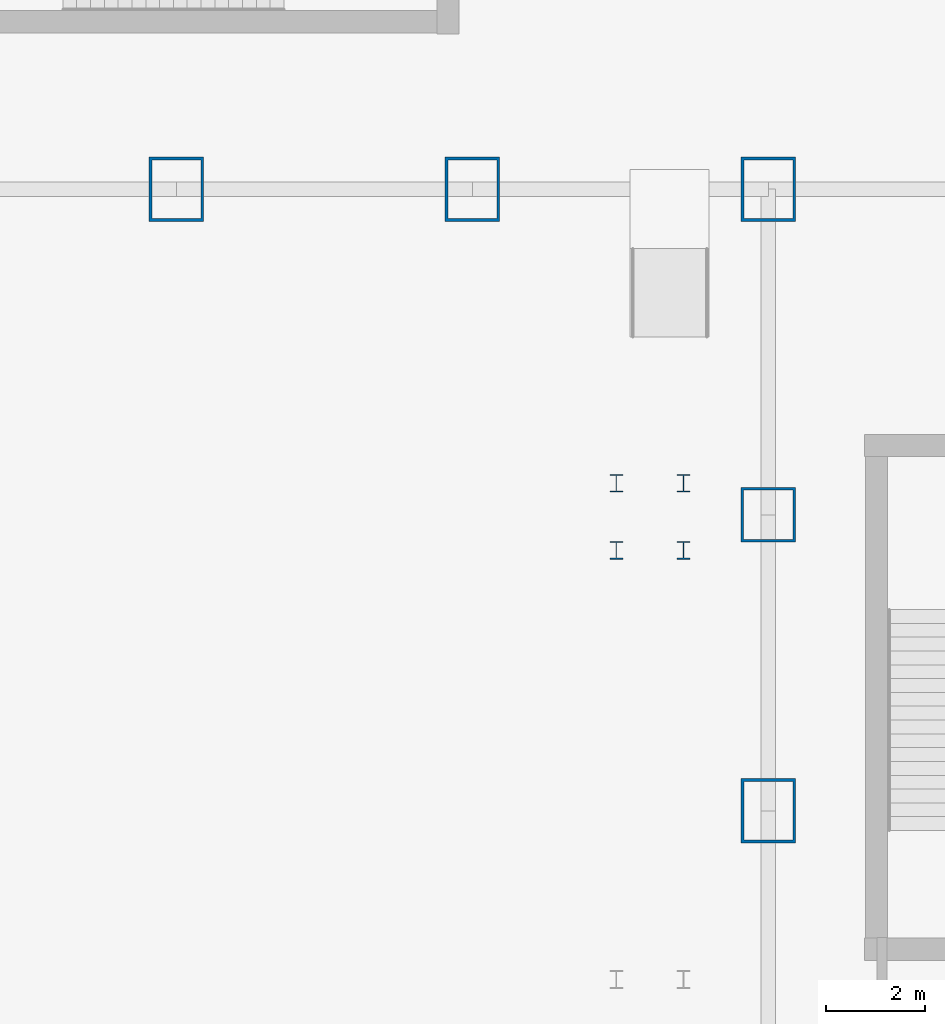
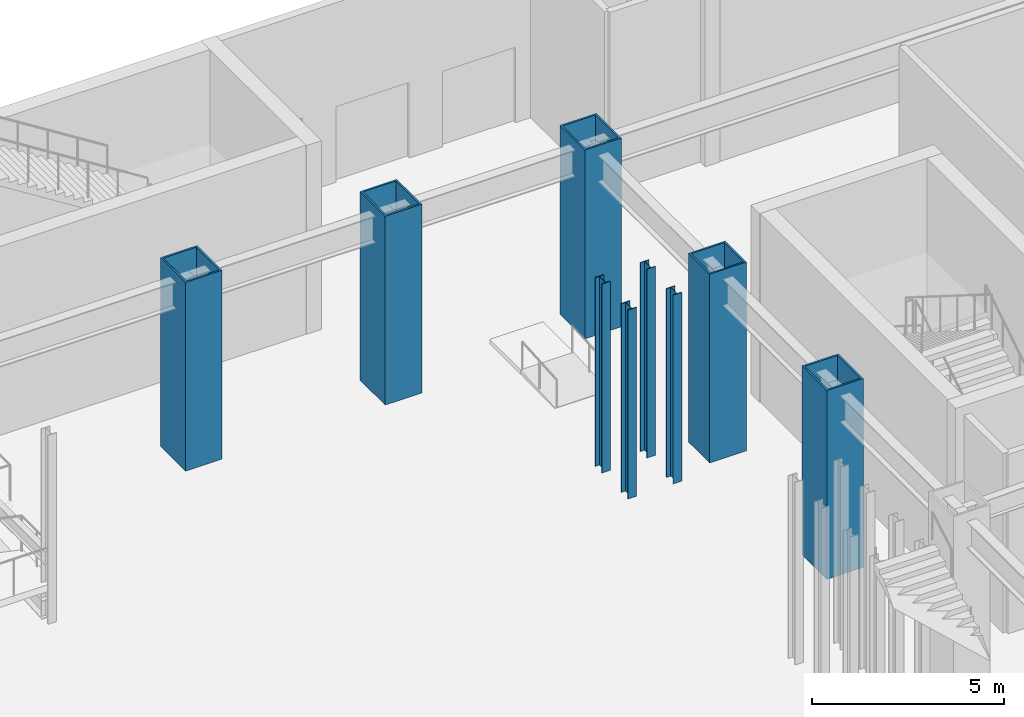
# One storey, part 4 of 25: 9 columns.
"""IFC4 building model written with IfcOpenShell, lengths in metres."""

from ifc_helpers import new_model, si_unit, derived_unit, direction, frame, origin, origin_2d, place, context, subcontext, project, spatial, hollow_rectangle, i_section, extrude, source, transform, mapped, material, material_profile, profile_set, type_object, element, save


model = new_model("IFC4")

# Units and contexts
model_context = context("Model", 3, precision=1e-05, world=origin(), true_north=direction((0.0, 1.0)))
body_context = subcontext(model_context, "Body", "Model", "MODEL_VIEW")
ifc_project = project(units=[si_unit("LENGTHUNIT", "METRE"), si_unit("AREAUNIT", "SQUARE_METRE"), si_unit("VOLUMEUNIT", "CUBIC_METRE"), si_unit("PLANEANGLEUNIT", "RADIAN"), si_unit("MASSUNIT", "GRAM", prefix="KILO"), derived_unit("THERMALTRANSMITTANCEUNIT", [(si_unit("POWERUNIT", "WATT"), 1), (si_unit("LENGTHUNIT", "METRE"), -2), (si_unit("THERMODYNAMICTEMPERATUREUNIT", "KELVIN"), -1)])], contexts=[model_context])

# Site, building, storey
site_placement = place(None, origin())
site = spatial("IfcSite", under=ifc_project, at=site_placement, CompositionType="ELEMENT")
building_placement = place(site_placement, origin())
building = spatial("IfcBuilding", under=site, at=building_placement, Name="Skarnbrae Concourse Arena and Tower", CompositionType="ELEMENT")
storey_placement = place(building_placement, origin())
storey = spatial("IfcBuildingStorey", under=building, at=storey_placement, Name="L00", CompositionType="ELEMENT", Elevation=0.0)

# Columns
ifc_material = material(Name="Steel CSA G40.21 350W", Category="steel")
ifc_material_profile_1 = material_profile(ifc_material, hollow_rectangle(XDim=1.10009765625, YDim=1.10009765625, WallThickness=0.050048828125, at=origin_2d()), Name="BOX1100X1100X50")
ifc_profile_set_1 = profile_set([ifc_material_profile_1], Name="Steel CSA G40.21 350W")
column_type_1 = type_object("IfcColumnType", Name="COL-MEGA-BOX1100", PredefinedType="PILASTER", material=ifc_profile_set_1)
shared_shape_1 = source(origin(), body_context, "Body", "SweptSolid", [
    extrude(hollow_rectangle(XDim=1.10009765625, YDim=1.10009765625, WallThickness=0.050048828125, at=origin_2d()), origin(), (0.0, 0.0, 1.0), 6.0),
])
column_placement = place(storey_placement, frame((61.0, 40.39990234375, 0.0), z_axis=(0.0, 0.0, 1.0), x_axis=(1.0, 0.0, 0.0)))
element("IfcColumn", 1, at=column_placement, inside=storey, type_object=column_type_1, Name="L00 Podium mega-column MC-E4", PredefinedType="PILASTER", context=body_context, shape_type="MappedRepresentation", body=[
    mapped(shared_shape_1, transform((0.0, 0.0, 0.0))),
])
ifc_material_profile_2 = material_profile(ifc_material, hollow_rectangle(XDim=1.10009765625, YDim=1.300048828125, WallThickness=0.054931640625, at=origin_2d()), Name="BOX1300X1100X55")
ifc_profile_set_2 = profile_set([ifc_material_profile_2], Name="Steel CSA G40.21 350W")
column_type_2 = type_object("IfcColumnType", Name="COL-MEGA-BOX1300", PredefinedType="PILASTER", material=ifc_profile_set_2)
shared_shape_2 = source(origin(), body_context, "Body", "SweptSolid", [
    extrude(hollow_rectangle(XDim=1.10009765625, YDim=1.300048828125, WallThickness=0.054931640625, at=origin_2d()), origin(), (0.0, 0.0, 1.0), 6.0),
])
for number, where, z_axis, x_axis, name in (
    (2, (49.0, 47.0, 0.0), (0.0, 0.0, 1.0), (1.0, 0.0, 0.0), "L00 Podium mega-column MC-N8"),
    (3, (55.0, 47.0, 0.0), (0.0, 0.0, 1.0), (1.0, 0.0, 0.0), "L00 Podium mega-column MC-N9"),
    (4, (61.0, 47.0, 0.0), (0.0, 0.0, 1.0), (1.0, 0.0, 0.0), "L00 Podium mega-column MC-N10"),
    (5, (61.0, 34.39990234375, 0.0), (0.0, 0.0, 1.0), (1.0, 0.0, 0.0), "L00 Podium mega-column MC-E3"),
):
    element("IfcColumn", number, at=place(storey_placement, frame(where, z_axis=z_axis, x_axis=x_axis)), inside=storey, type_object=column_type_2, Name=name, PredefinedType="PILASTER", context=body_context, shape_type="MappedRepresentation", body=[
        mapped(shared_shape_2, transform((0.0, 0.0, 0.0))),
    ])
ifc_material_profile_3 = material_profile(ifc_material, i_section(OverallWidth=0.257080078125, OverallDepth=0.363037109375, WebThickness=0.012939453125, FlangeThickness=0.021728515625, at=origin_2d()), Name="W360X122")
ifc_profile_set_3 = profile_set([ifc_material_profile_3], Name="Steel CSA G40.21 350W")
column_type_3 = type_object("IfcColumnType", Name="COL-POD-W360X122", PredefinedType="COLUMN", material=ifc_profile_set_3)
shared_shape_3 = source(origin(), body_context, "Body", "SweptSolid", [
    extrude(i_section(OverallWidth=0.257080078125, OverallDepth=0.363037109375, WebThickness=0.012939453125, FlangeThickness=0.021728515625, at=origin_2d()), origin(), (0.0, 0.0, 1.0), 6.0),
])
for number, where, z_axis, x_axis, name in (
    (6, (57.919921875, 39.679931640625, 0.0), (0.0, 0.0, 1.0), (1.0, 0.0, 0.0), "L00 Concourse stair ST-CONC-3-L01 TOP post 11"),
    (7, (57.919921875, 41.0400390625, 0.0), (0.0, 0.0, 1.0), (1.0, 0.0, 0.0), "L00 Concourse stair ST-CONC-3-L01 TOP post 12"),
    (8, (59.280029296875, 39.679931640625, 0.0), (0.0, 0.0, 1.0), (1.0, 0.0, 0.0), "L00 Concourse stair ST-CONC-3-L01 TOP post 21"),
    (9, (59.280029296875, 41.0400390625, 0.0), (0.0, 0.0, 1.0), (1.0, 0.0, 0.0), "L00 Concourse stair ST-CONC-3-L01 TOP post 22"),
):
    element("IfcColumn", number, at=place(storey_placement, frame(where, z_axis=z_axis, x_axis=x_axis)), inside=storey, type_object=column_type_3, Name=name, PredefinedType="COLUMN", context=body_context, shape_type="MappedRepresentation", body=[
        mapped(shared_shape_3, transform((0.0, 0.0, 0.0))),
    ])

save(model, "model.ifc")
